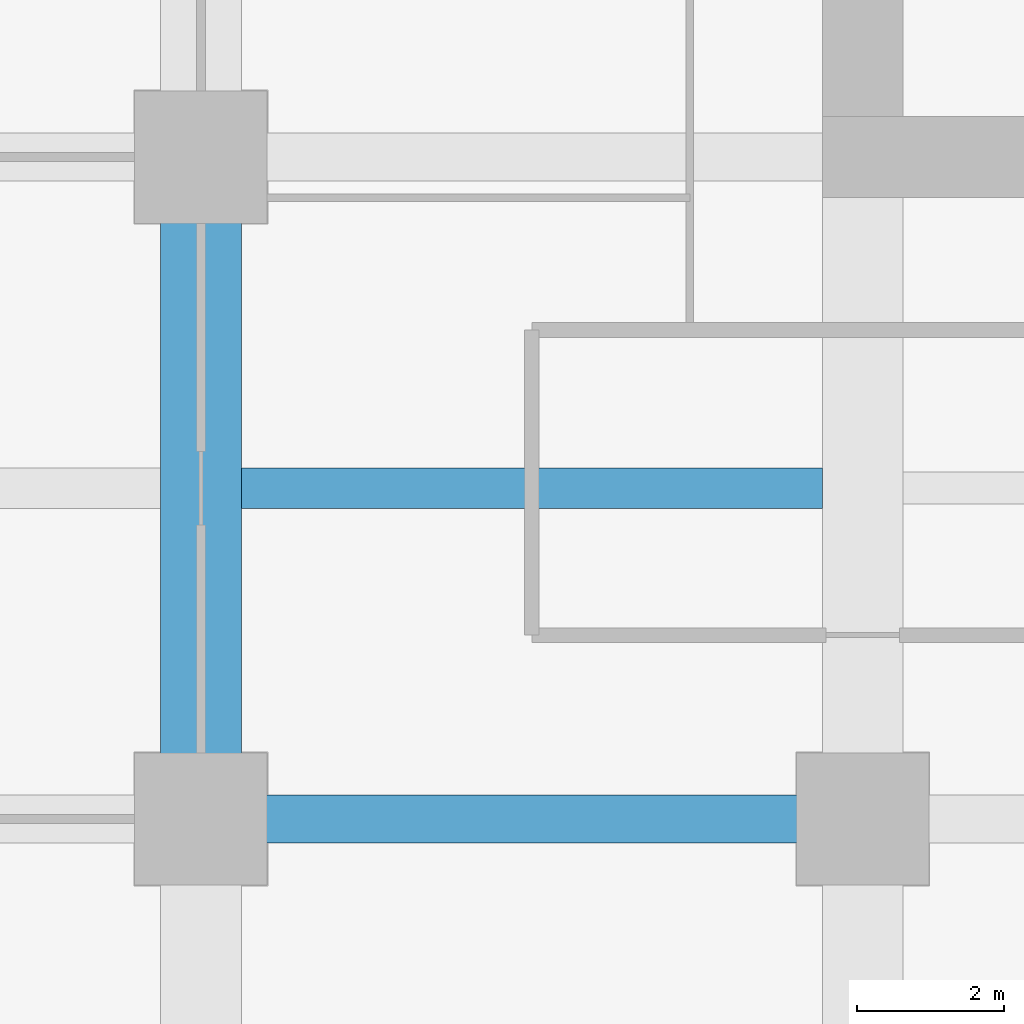
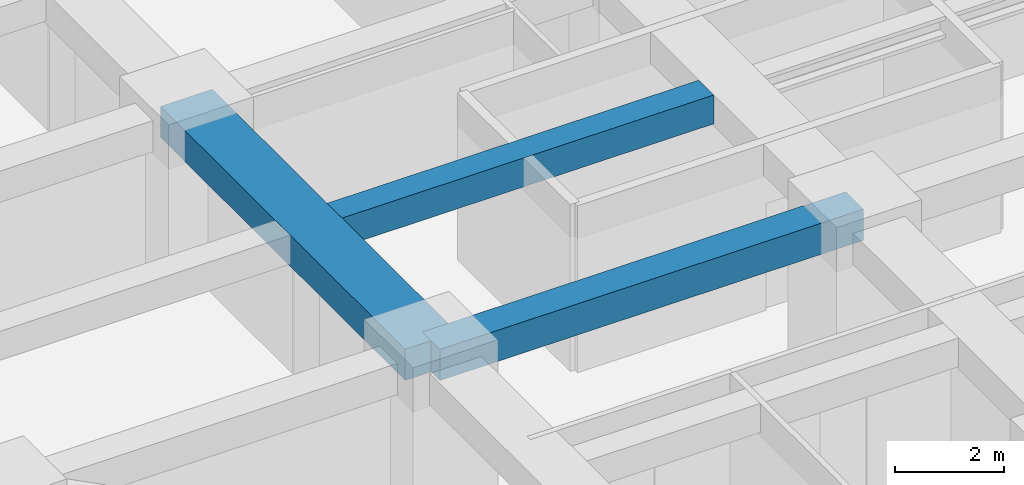
# One storey, part 5 of 40: 3 beams.
"""IFC4 building model written with IfcOpenShell, lengths in metres."""

from ifc_helpers import new_model, si_unit, direction, frame, origin, origin_2d, place, context, subcontext, project, spatial, rectangle, extrude, material, material_profile, profile_set, type_object, element, save


model = new_model("IFC4")

# Units and contexts
model_context = context("Model", 3, precision=1e-05, world=origin(), true_north=direction((0.0, 1.0)))
body_context = subcontext(model_context, "Body", "Model", "MODEL_VIEW")
ifc_project = project(units=[si_unit("LENGTHUNIT", "METRE"), si_unit("AREAUNIT", "SQUARE_METRE"), si_unit("VOLUMEUNIT", "CUBIC_METRE"), si_unit("PLANEANGLEUNIT", "RADIAN"), si_unit("MASSUNIT", "GRAM", prefix="KILO")], contexts=[model_context])

# Site, building, storey
site_placement = place(None, origin())
site = spatial("IfcSite", under=ifc_project, at=site_placement, CompositionType="ELEMENT")
building_placement = place(site_placement, origin())
building = spatial("IfcBuilding", under=site, at=building_placement, Name="Zorevar Civic Tower", CompositionType="ELEMENT")
storey_placement = place(building_placement, frame((0.0, 0.0, 133.0)))
storey = spatial("IfcBuildingStorey", under=building, at=storey_placement, Name="L32", CompositionType="ELEMENT", Elevation=133.0)

# Beams
ifc_material_1 = material(Name="Concrete C50/60", Category="concrete")
ifc_material_profile_1 = material_profile(ifc_material_1, rectangle(XDim=1.10009765625, YDim=0.699951171875, at=origin_2d()), Name="RC 1100x700")
ifc_profile_set_1 = profile_set([ifc_material_profile_1], Name="Concrete C50/60")
beam_type_1 = type_object("IfcBeamType", Name="Beam RC 1100x700", PredefinedType="BEAM", material=ifc_profile_set_1)
beam_1_placement = place(storey_placement, frame((9.0, 9.0, 3.39990234375), z_axis=(0.0, 1.0, 0.0), x_axis=(-1.0, 0.0, 0.0)))
element("IfcBeam", 1, at=beam_1_placement, inside=storey, type_object=beam_type_1, Name="Girder L33", PredefinedType="BEAM", context=body_context, shape_type="SweptSolid", body=[
    extrude(rectangle(XDim=1.10009765625, YDim=0.699951171875, at=origin_2d()), origin(), (0.0, 0.0, 1.0), 9.0),
])
ifc_material_2 = material(Name="Concrete C50/60", Category="concrete")
ifc_material_profile_2 = material_profile(ifc_material_2, rectangle(XDim=0.550048828125, YDim=0.64990234375, at=origin_2d()), Name="RC 550x650")
ifc_profile_set_2 = profile_set([ifc_material_profile_2], Name="Concrete C50/60")
beam_type_2 = type_object("IfcBeamType", Name="Beam RC 550x650", PredefinedType="BEAM", material=ifc_profile_set_2)
beam_2_placement = place(storey_placement, frame((9.550048828125, 13.5, 3.425048828125), z_axis=(1.0, 0.0, 0.0), x_axis=(0.0, 1.0, 0.0)))
element("IfcBeam", 2, at=beam_2_placement, inside=storey, type_object=beam_type_2, Name="Secondary beam L33", PredefinedType="BEAM", context=body_context, shape_type="SweptSolid", body=[
    extrude(rectangle(XDim=0.550048828125, YDim=0.64990234375, at=origin_2d()), origin(), (0.0, 0.0, 1.0), 7.89990234375),
])
ifc_material_3 = material(Name="Concrete C50/60", Category="concrete")
ifc_material_profile_3 = material_profile(ifc_material_3, rectangle(XDim=0.64990234375, YDim=0.699951171875, at=origin_2d()), Name="RC 650x700")
ifc_profile_set_3 = profile_set([ifc_material_profile_3], Name="Concrete C50/60")
beam_type_3 = type_object("IfcBeamType", Name="Beam RC 650x700", PredefinedType="BEAM", material=ifc_profile_set_3)
beam_3_placement = place(storey_placement, frame((9.0, 9.0, 3.39990234375), z_axis=(1.0, 0.0, 0.0), x_axis=(0.0, 1.0, 0.0)))
element("IfcBeam", 3, at=beam_3_placement, inside=storey, type_object=beam_type_3, Name="Girder L33", PredefinedType="BEAM", context=body_context, shape_type="SweptSolid", body=[
    extrude(rectangle(XDim=0.64990234375, YDim=0.699951171875, at=origin_2d()), origin(), (0.0, 0.0, 1.0), 9.0),
])

save(model, "model.ifc")
